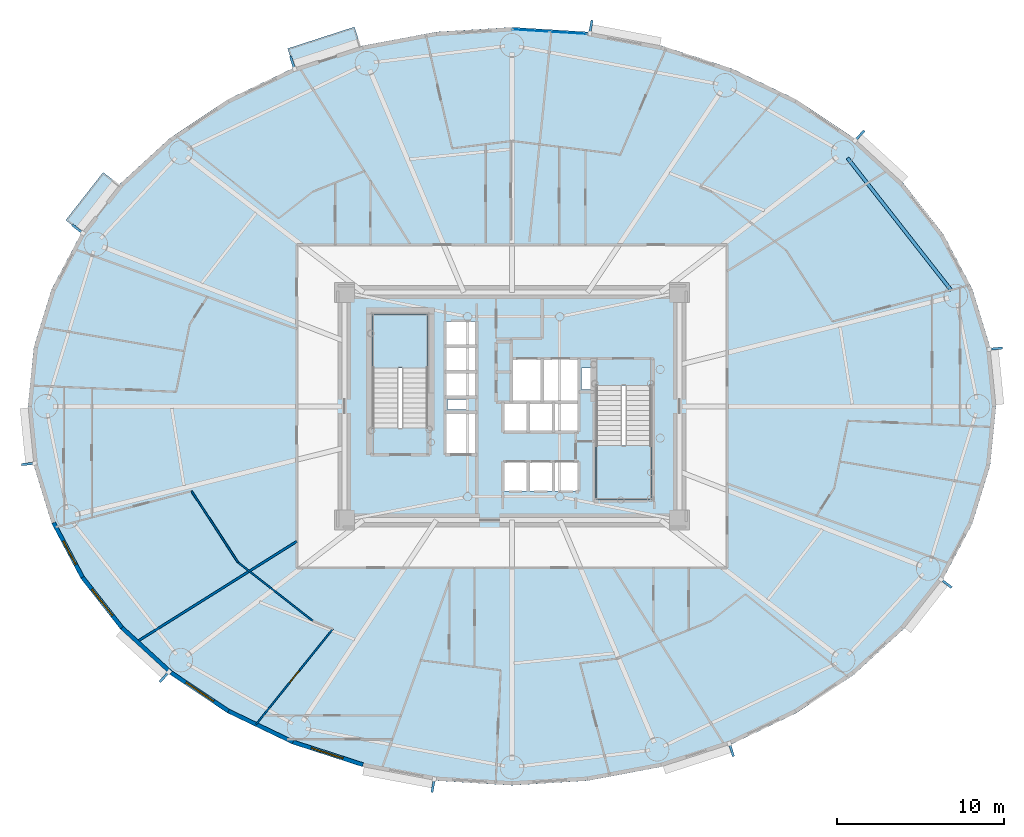
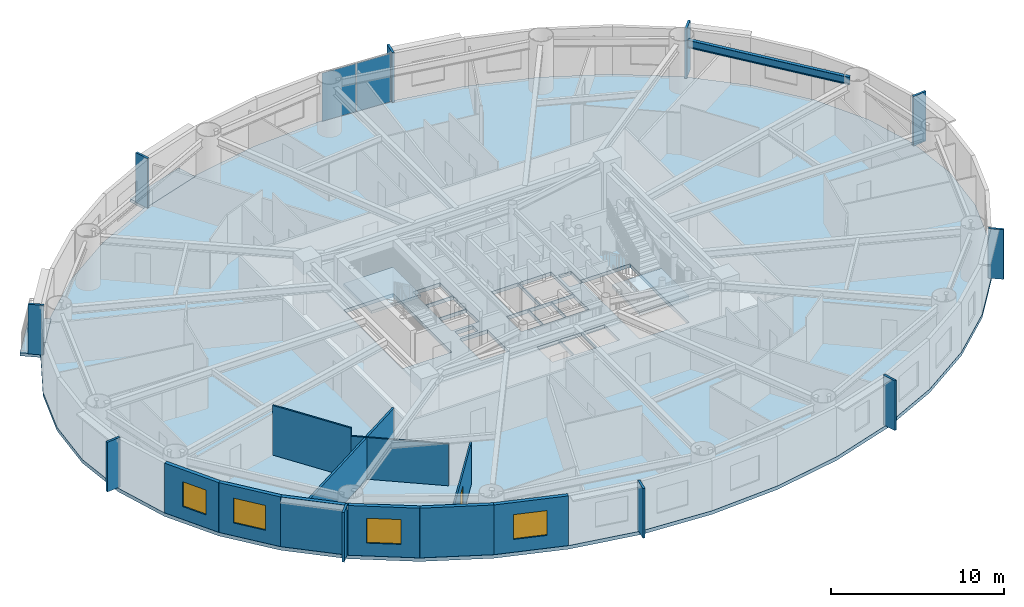
# One storey, part 7 of 19: 12 plates, 10 walls, 5 slabs, 4 windows, 1 beam, 1 door, 5 openings, 3 elements without a shape of their own.
"""IFC4 building model written with IfcOpenShell, lengths in metres."""

from ifc_helpers import new_model, si_unit, direction, frame, frame_2d, origin, origin_2d, place, context, subcontext, project, spatial, polyline, rectangle, i_section, outline, extrude, source, transform, mapped, material, layer, layer_set, material_profile, profile_set, type_object, element, fill, aggregate, save


model = new_model("IFC4")

# Units and contexts
model_context = context("Model", 3, precision=1e-05, world=origin(), true_north=direction((0.0, 1.0)))
body_context = subcontext(model_context, "Body", "Model", "MODEL_VIEW")
ifc_project = project(units=[si_unit("LENGTHUNIT", "METRE"), si_unit("AREAUNIT", "SQUARE_METRE"), si_unit("VOLUMEUNIT", "CUBIC_METRE"), si_unit("PLANEANGLEUNIT", "RADIAN"), si_unit("MASSUNIT", "GRAM", prefix="KILO")], contexts=[model_context])

# Site, building, storey
site_placement = place(None, origin())
site = spatial("IfcSite", under=ifc_project, at=site_placement, CompositionType="ELEMENT")
building_placement = place(site_placement, origin())
building = spatial("IfcBuilding", under=site, at=building_placement, Name="Linh Dai School and Residence Tower", CompositionType="ELEMENT")
storey_placement = place(building_placement, frame((0.0, 0.0, 119.699951171875)))
storey = spatial("IfcBuildingStorey", under=building, at=storey_placement, Name="L28", CompositionType="ELEMENT", Elevation=119.699951171875)

# Beam
ifc_material_1 = material(Name="Structural Steel S355JR", Category="steel")
ifc_material_profile = material_profile(ifc_material_1, i_section(OverallWidth=0.2099609375, OverallDepth=0.550048828125, WebThickness=0.010986328125, FlangeThickness=0.01708984375, FilletRadius=0.02392578125, at=origin_2d()), Name="IPE 550")
ifc_profile_set = profile_set([ifc_material_profile], Name="Structural Steel S355JR")
beam_type = type_object("IfcBeamType", Name="BM-RB55", PredefinedType="BEAM", material=ifc_profile_set)
beam_placement = place(storey_placement, frame((62.233642578125, 33.91162109375, 3.22509765625), z_axis=(-0.616854830973, 0.787076945098, 0.0), x_axis=(-0.787076945098, -0.616854830973, 0.0)))
element("IfcBeam", 1, at=beam_placement, inside=storey, type_object=beam_type, Name="L28 Perimeter Elliptical Ring Beam 02", PredefinedType="BEAM", context=body_context, shape_type="SweptSolid", body=[
    extrude(i_section(OverallWidth=0.2099609375, OverallDepth=0.550048828125, WebThickness=0.010986328125, FlangeThickness=0.01708984375, FilletRadius=0.02392578125, at=origin_2d()), origin(), (0.0, 0.0, 1.0), 10.053955078125),
])

# Slabs
ifc_material_2 = material(Name="Concrete B45 (C35/45)", Category="concrete")
ifc_layer_1 = layer(ifc_material_2, 0.219970703125)
ifc_layer_set_1 = layer_set([ifc_layer_1], Name="Concrete B45 (C35/45)")
slab_type_1 = type_object("IfcSlabType", Name="SLB-BALC-220", PredefinedType="FLOOR", material=ifc_layer_set_1)
slab_1_placement = place(storey_placement, frame((0.0, 0.0, -0.219970703125)))
element("IfcSlab", 2, at=slab_1_placement, inside=storey, type_object=slab_type_1, Name="L28 Sliding Balcony Slab 13", PredefinedType="FLOOR", context=body_context, shape_type="SweptSolid", body=[
    extrude(outline(polyline([(23.00732421875, 47.12109375), (26.9912109375, 48.413330078125), (26.590087890625, 49.64990234375), (22.606201171875, 48.357666015625), (23.00732421875, 47.12109375)])), origin(), (0.0, 0.0, 1.0), 0.219970703125),
])
slab_2_placement = place(storey_placement, frame((0.0, 0.0, -0.219970703125)))
element("IfcSlab", 3, at=slab_2_placement, inside=storey, type_object=slab_type_1, Name="L28 Sliding Balcony Slab 17", PredefinedType="FLOOR", context=body_context, shape_type="SweptSolid", body=[
    extrude(outline(polyline([(10.380859375, 37.31201171875), (12.614013671875, 40.16552734375), (11.59033203125, 40.966796875), (9.357177734375, 38.11328125), (10.380859375, 37.31201171875)])), origin(), (0.0, 0.0, 1.0), 0.219970703125),
])
ifc_layer_2 = layer(ifc_material_2, 0.25)
ifc_layer_set_2 = layer_set([ifc_layer_2], Name="Concrete B45 (C35/45)")
slab_type_2 = type_object("IfcSlabType", Name="SLB-FLR250", PredefinedType="FLOOR", material=ifc_layer_set_2)
slab_3_placement = place(storey_placement, frame((0.0, 0.0, -0.25)))
element("IfcSlab", 4, at=slab_3_placement, inside=storey, type_object=slab_type_2, Name="L28 Composite Structural Floor Slab", PredefinedType="FLOOR", context=body_context, shape_type="SweptSolid", body=[
    extrude(outline(polyline([(64.89990234375, 27.0), (64.544189453125, 30.5400390625), (63.485595703125, 33.9931640625), (61.75, 37.27392578125), (59.380615234375, 40.301513671875), (56.435302734375, 43.001708984375), (52.987060546875, 45.30810546875), (49.120361328125, 47.16357421875), (44.9306640625, 48.5224609375), (40.52099609375, 49.351318359375), (36.0, 49.6298828125), (31.47900390625, 49.351318359375), (27.0693359375, 48.5224609375), (22.879638671875, 47.16357421875), (19.012939453125, 45.30810546875), (15.564697265625, 43.001708984375), (12.619384765625, 40.301513671875), (10.25, 37.27392578125), (8.514404296875, 33.9931640625), (7.455810546875, 30.5400390625), (7.10009765625, 27.0), (7.455810546875, 23.4599609375), (8.514404296875, 20.0068359375), (10.25, 16.72607421875), (12.619384765625, 13.698486328125), (15.564697265625, 10.998291015625), (19.012939453125, 8.69189453125), (22.879638671875, 6.83642578125), (27.0693359375, 5.4775390625), (31.47900390625, 4.648681640625), (36.0, 4.3701171875), (40.52099609375, 4.648681640625), (44.9306640625, 5.4775390625), (49.120361328125, 6.83642578125), (52.987060546875, 8.69189453125), (56.435302734375, 10.998291015625), (59.380615234375, 13.698486328125), (61.75, 16.72607421875), (63.485595703125, 20.0068359375), (64.544189453125, 23.4599609375), (64.89990234375, 27.0)]), holes=[polyline([(30.97998046875, 25.699951171875), (30.97998046875, 32.5), (27.679931640625, 32.5), (27.679931640625, 25.699951171875), (30.97998046875, 25.699951171875)]), polyline([(41.02001953125, 28.25), (41.02001953125, 21.449951171875), (44.320068359375, 21.449951171875), (44.320068359375, 28.25), (41.02001953125, 28.25)]), polyline([(35.97998046875, 27.280029296875), (37.77001953125, 27.280029296875), (37.77001953125, 29.820068359375), (35.97998046875, 29.820068359375), (35.97998046875, 27.280029296875)]), polyline([(32.030029296875, 24.1298828125), (33.8701171875, 24.1298828125), (33.8701171875, 26.6201171875), (32.030029296875, 26.6201171875), (32.030029296875, 24.1298828125)]), polyline([(37.830078125, 27.280029296875), (39.969970703125, 27.280029296875), (39.969970703125, 29.820068359375), (37.830078125, 29.820068359375), (37.830078125, 27.280029296875)]), polyline([(35.47998046875, 21.929931640625), (36.929931640625, 21.929931640625), (36.929931640625, 23.669921875), (35.47998046875, 23.669921875), (35.47998046875, 21.929931640625)]), polyline([(36.989990234375, 21.929931640625), (38.449951171875, 21.929931640625), (38.449951171875, 23.669921875), (36.989990234375, 23.669921875), (36.989990234375, 21.929931640625)]), polyline([(38.510009765625, 21.929931640625), (39.969970703125, 21.929931640625), (39.969970703125, 23.669921875), (38.510009765625, 23.669921875), (38.510009765625, 21.929931640625)]), polyline([(32.030029296875, 27.580078125), (33.8701171875, 27.580078125), (33.8701171875, 29.030029296875), (32.030029296875, 29.030029296875), (32.030029296875, 27.580078125)]), polyline([(32.030029296875, 29.090087890625), (33.8701171875, 29.090087890625), (33.8701171875, 30.550048828125), (32.030029296875, 30.550048828125), (32.030029296875, 29.090087890625)]), polyline([(32.030029296875, 30.610107421875), (33.8701171875, 30.610107421875), (33.8701171875, 32.070068359375), (32.030029296875, 32.070068359375), (32.030029296875, 30.610107421875)]), polyline([(35.47998046875, 25.47998046875), (36.929931640625, 25.47998046875), (36.929931640625, 27.219970703125), (35.47998046875, 27.219970703125), (35.47998046875, 25.47998046875)]), polyline([(36.989990234375, 25.47998046875), (38.449951171875, 25.47998046875), (38.449951171875, 27.219970703125), (36.989990234375, 27.219970703125), (36.989990234375, 25.47998046875)]), polyline([(38.510009765625, 25.47998046875), (39.969970703125, 25.47998046875), (39.969970703125, 27.219970703125), (38.510009765625, 27.219970703125), (38.510009765625, 25.47998046875)]), polyline([(40.14990234375, 28.0), (40.14990234375, 29.300048828125), (41.0, 29.300048828125), (41.0, 28.280029296875), (40.989990234375, 28.280029296875), (40.989990234375, 28.0), (40.14990234375, 28.0)]), polyline([(32.14990234375, 26.800048828125), (33.35009765625, 26.800048828125), (33.35009765625, 27.39990234375), (32.14990234375, 27.39990234375), (32.14990234375, 26.800048828125)])]), origin(), (0.0, 0.0, 1.0), 0.25),
])

# Stair, slab
stair_type = type_object("IfcStairType", Name="ST-DOG-1550-R1442", PredefinedType="HALF_TURN_STAIR", material=ifc_material_2)
stair_1_placement = place(storey_placement, origin())
stair_1 = element("IfcStair", 5, at=stair_1_placement, inside=storey, type_object=stair_type, Name="L28 Core Smokeproof Exit Stair ST1", PredefinedType="HALF_TURN_STAIR")
ifc_layer_3 = layer(ifc_material_2, 0.199951171875)
ifc_layer_set_3 = layer_set([ifc_layer_3], Name="Concrete B45 (C35/45)")
slab_type_3 = type_object("IfcSlabType", Name="SLB-ST-LANDING-200", PredefinedType="LANDING", material=ifc_layer_set_3)
slab_4_placement = place(storey_placement, frame((0.0, 0.0, 1.675048828125)))
slab_4 = element("IfcSlab", 6, at=slab_4_placement, type_object=slab_type_3, Name="ST1 landing 1", PredefinedType="LANDING", context=body_context, shape_type="SweptSolid", body=[
    extrude(outline(polyline([(30.97998046875, 29.300048828125), (30.97998046875, 32.5), (27.679931640625, 32.5), (27.679931640625, 29.300048828125), (30.97998046875, 29.300048828125)])), origin(), (0.0, 0.0, 1.0), 0.199951171875),
])
aggregate(stair_1, [slab_4])

stair_2_placement = place(storey_placement, origin())
stair_2 = element("IfcStair", 7, at=stair_2_placement, inside=storey, type_object=stair_type, Name="L28 Core Smokeproof Exit Stair ST2", PredefinedType="HALF_TURN_STAIR")
slab_5_placement = place(storey_placement, frame((0.0, 0.0, 1.675048828125)))
slab_5 = element("IfcSlab", 8, at=slab_5_placement, type_object=slab_type_3, Name="ST2 landing 1", PredefinedType="LANDING", context=body_context, shape_type="SweptSolid", body=[
    extrude(outline(polyline([(41.02001953125, 24.64990234375), (41.02001953125, 21.449951171875), (44.320068359375, 21.449951171875), (44.320068359375, 24.64990234375), (41.02001953125, 24.64990234375)])), origin(), (0.0, 0.0, 1.0), 0.199951171875),
])
aggregate(stair_2, [slab_5])

# Plates
ifc_material_3 = material(Name="Precast Concrete B45 (C35/45)", Category="concrete")
ifc_layer_4 = layer(ifc_material_3, 0.139892578125)
ifc_layer_set_4 = layer_set([ifc_layer_4], Name="Precast Concrete B45 (C35/45)")
plate_type_1 = type_object("IfcPlateType", Name="FIN-TC-900x140", PredefinedType="USERDEFINED", material=ifc_layer_set_4)
shared_shape_1 = source(origin(), body_context, "Body", "SweptSolid", [
    extrude(rectangle(XDim=0.89990234375, YDim=0.139892578125, at=origin_2d()), origin(), (0.0, 0.0, 1.0), 3.5),
])
for number, where, z_axis, x_axis, name in (
    (9, (64.841552734375, 30.43701171875, 0.0), (0.0, 0.0, 1.0), (0.994986703684, 0.100007297192, 0.0), "L28 Precast Terracotta Radial Fin 01"),
    (10, (56.723876953125, 43.12451171875, 0.0), (0.0, 0.0, 1.0), (0.675783395482, 0.737100266172, 0.0), "L28 Precast Terracotta Radial Fin 05"),
    (11, (40.69921875, 49.608154296875, 0.0), (0.0, 0.0, 1.0), (0.18475466193, 0.982784673718, 0.0), "L28 Precast Terracotta Radial Fin 09"),
    (12, (22.91357421875, 47.474365234375, 0.0), (0.0, 0.0, 1.0), (-0.308522363457, 0.951217089442, 0.0), "L28 Precast Terracotta Radial Fin 13"),
    (13, (10.105712890625, 37.552734375, 0.0), (0.0, 0.0, 1.0), (-0.787507539838, 0.616305017583, 0.0), "L28 Precast Terracotta Radial Fin 17"),
    (14, (7.158447265625, 23.56298828125, 0.0), (0.0, 0.0, 1.0), (-0.994986703684, -0.100007297192, 0.0), "L28 Precast Terracotta Radial Fin 21"),
    (15, (15.276123046875, 10.87548828125, 0.0), (0.0, 0.0, 1.0), (-0.675783395482, -0.737100266172, 0.0), "L28 Precast Terracotta Radial Fin 25"),
    (16, (31.30078125, 4.391845703125, 0.0), (0.0, 0.0, 1.0), (-0.18475466193, -0.982784673718, 0.0), "L28 Precast Terracotta Radial Fin 29"),
    (17, (49.08642578125, 6.525634765625, 0.0), (0.0, 0.0, 1.0), (0.308522363457, -0.951217089442, 0.0), "L28 Precast Terracotta Radial Fin 33"),
    (18, (61.894287109375, 16.447265625, 0.0), (0.0, 0.0, 1.0), (0.787507539838, -0.616305017583, 0.0), "L28 Precast Terracotta Radial Fin 37"),
):
    element("IfcPlate", number, at=place(storey_placement, frame(where, z_axis=z_axis, x_axis=x_axis)), inside=storey, type_object=plate_type_1, Name=name, ObjectType="RADIAL FIN", PredefinedType="USERDEFINED", context=body_context, shape_type="MappedRepresentation", body=[
        mapped(shared_shape_1, transform((0.0, 0.0, 0.0), x_axis=(1.0, 0.0, 0.0), y_axis=(0.0, 1.0, 0.0), z_axis=(0.0, 0.0, 1.0), scale=1.0)),
    ])

# Curtain wall, plates
ifc_material_4 = material(Name="Aluminium Anodised Curtain Wall", Category="aluminium")
ifc_layer_5 = layer(ifc_material_4, 0.14990234375)
ifc_layer_set_5 = layer_set([ifc_layer_5], Name="Aluminium Anodised Curtain Wall")
curtain_wall_type = type_object("IfcCurtainWallType", Name="CW-SYS-4", PredefinedType="USERDEFINED", material=ifc_layer_set_5)
curtain_wall_placement = place(storey_placement, origin())
curtain_wall = element("IfcCurtainWall", 19, at=curtain_wall_placement, inside=storey, type_object=curtain_wall_type, Name="L28 CW4 Curtain Wall 10", ObjectType="RIBBON CURTAIN WALL", PredefinedType="USERDEFINED")
ifc_material_5 = material(Name="Double Low-E Insulated Glazing", Category="glass")
ifc_layer_6 = layer(ifc_material_5, 0.02587890625)
ifc_layer_set_6 = layer_set([ifc_layer_6], Name="Double Low-E Insulated Glazing")
plate_type_2 = type_object("IfcPlateType", Name="CW-SYS-4-PAN", PredefinedType="CURTAIN_PANEL", material=ifc_layer_set_6)
shared_shape_2 = source(origin(), body_context, "Body", "SweptSolid", [
    extrude(rectangle(XDim=2.178955078125, YDim=0.02587890625, at=origin_2d()), origin(), (0.0, 0.0, 1.0), 3.39599609375),
])
plate_1_placement = place(storey_placement, frame((37.139404296875, 49.434814453125, 0.052001953125), z_axis=(0.0, 0.0, 1.0), x_axis=(0.998106513123, -0.061509255091, 0.0)))
plate_1 = element("IfcPlate", 20, at=plate_1_placement, type_object=plate_type_2, Name="CW4 panel 1.1", PredefinedType="CURTAIN_PANEL", context=body_context, shape_type="MappedRepresentation", body=[
    mapped(shared_shape_2, transform((0.0, 0.0, 0.0), x_axis=(1.0, 0.0, 0.0), y_axis=(0.0, 1.0, 0.0), z_axis=(0.0, 0.0, 1.0), scale=1.0)),
])
plate_2_placement = place(storey_placement, frame((39.3662109375, 49.297607421875, 0.052001953125), z_axis=(0.0, 0.0, 1.0), x_axis=(0.998106513123, -0.061509255091, 0.0)))
plate_2 = element("IfcPlate", 21, at=plate_2_placement, type_object=plate_type_2, Name="CW4 panel 2.1", PredefinedType="CURTAIN_PANEL", context=body_context, shape_type="MappedRepresentation", body=[
    mapped(shared_shape_2, transform((0.0, 0.0, 0.0), x_axis=(1.0, 0.0, 0.0), y_axis=(0.0, 1.0, 0.0), z_axis=(0.0, 0.0, 1.0), scale=1.0)),
])
aggregate(curtain_wall, [plate_1, plate_2])

# Wall, opening, window
ifc_layer_7 = layer(ifc_material_3, 0.239990234375)
ifc_layer_set_7 = layer_set([ifc_layer_7], Name="Precast Concrete B45 (C35/45)")
wall_type_1 = type_object("IfcWallType", Name="EW-TC-240", PredefinedType="SOLIDWALL", material=ifc_layer_set_7)
wall_1_placement = place(storey_placement, frame((10.354736328125, 16.79443359375, 0.0), z_axis=(0.0, 0.0, 1.0), x_axis=(-0.467614004126, 0.883932770716, 0.0)))
wall_1 = element("IfcWall", 22, at=wall_1_placement, inside=storey, type_object=wall_type_1, Name="L28 Terracotta Exterior Wall 23", PredefinedType="SOLIDWALL", context=body_context, shape_type="SweptSolid", body=[
    extrude(rectangle(XDim=3.688720703125, YDim=0.239990234375, at=frame_2d((1.84423828125, 0.0))), origin(), (0.0, 0.0, 1.0), 3.5),
])
opening_1_placement = place(wall_1_placement, frame((0.845947265625, 0.0, 0.89990234375)))
opening_1 = element("IfcOpeningElement", 23, at=opening_1_placement, cuts=wall_1, Name="Opening W2", PredefinedType="OPENING", context=body_context, shape_type="SweptSolid", body=[
    extrude(rectangle(XDim=1.60009765625, YDim=1.75, at=origin_2d()), frame((0.800048828125, 0.1298828125, 0.875), z_axis=(0.0, -1.0, 0.0), x_axis=(1.0, 0.0, 0.0)), (0.0, 0.0, 1.0), 0.260009765625),
])
window_type_1 = type_object("IfcWindowType", Name="WN-RES-1600x1750", PartitioningType="DOUBLE_PANEL_VERTICAL", PredefinedType="WINDOW", material=ifc_material_5)
shared_shape_3 = source(origin(), body_context, "Body", "SweptSolid", [
    extrude(rectangle(XDim=1.60009765625, YDim=1.75, at=origin_2d()), frame((0.800048828125, 0.030029296875, 0.875), z_axis=(0.0, -1.0, 0.0), x_axis=(1.0, 0.0, 0.0)), (0.0, 0.0, 1.0), 0.06005859375),
])
window_1_placement = place(opening_1_placement, origin())
window_1 = element("IfcWindow", 24, at=window_1_placement, inside=storey, type_object=window_type_1, Name="L28 Exterior Window 23.1", OverallHeight=1.75, OverallWidth=1.60009765625, PartitioningType="DOUBLE_PANEL_VERTICAL", PredefinedType="WINDOW", context=body_context, shape_type="MappedRepresentation", body=[
    mapped(shared_shape_3, transform((0.0, 0.0, 0.0), x_axis=(1.0, 0.0, 0.0), y_axis=(0.0, 1.0, 0.0), z_axis=(0.0, 0.0, 1.0), scale=1.0)),
])
fill(opening_1, window_1)

wall_2_placement = place(storey_placement, frame((12.7109375, 13.783447265625, 0.0), z_axis=(0.0, 0.0, 1.0), x_axis=(-0.616272103517, 0.787533297345, 0.0)))
wall_2 = element("IfcWall", 25, at=wall_2_placement, inside=storey, type_object=wall_type_1, Name="L28 Terracotta Exterior Wall 24", PredefinedType="SOLIDWALL", context=body_context, shape_type="SweptSolid", body=[
    extrude(rectangle(XDim=3.8232421875, YDim=0.239990234375, at=frame_2d((1.91162109375, 0.0))), origin(), (0.0, 0.0, 1.0), 3.5),
])
opening_2_placement = place(wall_2_placement, frame((0.91162109375, 0.0, 0.89990234375)))
opening_2 = element("IfcOpeningElement", 26, at=opening_2_placement, cuts=wall_2, Name="Opening W1", PredefinedType="OPENING", context=body_context, shape_type="SweptSolid", body=[
    extrude(rectangle(XDim=2.0, YDim=1.75, at=origin_2d()), frame((1.0, 0.1298828125, 0.875), z_axis=(0.0, -1.0, 0.0), x_axis=(1.0, 0.0, 0.0)), (0.0, 0.0, 1.0), 0.260009765625),
])
window_type_2 = type_object("IfcWindowType", Name="WN-RES-2000x1750", PartitioningType="DOUBLE_PANEL_VERTICAL", PredefinedType="WINDOW", material=ifc_material_5)
shared_shape_4 = source(origin(), body_context, "Body", "SweptSolid", [
    extrude(rectangle(XDim=2.0, YDim=1.75, at=origin_2d()), frame((1.0, 0.030029296875, 0.875), z_axis=(0.0, -1.0, 0.0), x_axis=(1.0, 0.0, 0.0)), (0.0, 0.0, 1.0), 0.06005859375),
])
window_2_placement = place(opening_2_placement, origin())
window_2 = element("IfcWindow", 27, at=window_2_placement, inside=storey, type_object=window_type_2, Name="L28 Exterior Window 24.1", OverallHeight=1.75, OverallWidth=2.0, PartitioningType="DOUBLE_PANEL_VERTICAL", PredefinedType="WINDOW", context=body_context, shape_type="MappedRepresentation", body=[
    mapped(shared_shape_4, transform((0.0, 0.0, 0.0), x_axis=(1.0, 0.0, 0.0), y_axis=(0.0, 1.0, 0.0), z_axis=(0.0, 0.0, 1.0), scale=1.0)),
])
fill(opening_2, window_2)

# Wall
wall_3_placement = place(storey_placement, frame((15.6416015625, 11.0966796875, 0.0), z_axis=(0.0, 0.0, 1.0), x_axis=(-0.737113356241, 0.675769117414, 0.0)))
element("IfcWall", 28, at=wall_3_placement, inside=storey, type_object=wall_type_1, Name="L28 Terracotta Exterior Wall 25", PredefinedType="SOLIDWALL", context=body_context, shape_type="SweptSolid", body=[
    extrude(rectangle(XDim=3.975830078125, YDim=0.239990234375, at=frame_2d((1.98779296875, 0.0))), origin(), (0.0, 0.0, 1.0), 3.5),
])

# Wall, opening, window
wall_4_placement = place(storey_placement, frame((19.07470703125, 8.800537109375, 0.0), z_axis=(0.0, 0.0, 1.0), x_axis=(-0.831221811447, 0.555940914284, 0.0)))
wall_4 = element("IfcWall", 29, at=wall_4_placement, inside=storey, type_object=wall_type_1, Name="L28 Terracotta Exterior Wall 26", PredefinedType="SOLIDWALL", context=body_context, shape_type="SweptSolid", body=[
    extrude(rectangle(XDim=4.130126953125, YDim=0.239990234375, at=frame_2d((2.06494140625, 0.0))), origin(), (0.0, 0.0, 1.0), 3.5),
])
opening_3_placement = place(wall_4_placement, frame((1.06494140625, 0.0, 0.89990234375)))
opening_3 = element("IfcOpeningElement", 30, at=opening_3_placement, cuts=wall_4, Name="Opening W1", PredefinedType="OPENING", context=body_context, shape_type="SweptSolid", body=[
    extrude(rectangle(XDim=2.0, YDim=1.75, at=origin_2d()), frame((1.0, 0.1298828125, 0.875), z_axis=(0.0, -1.0, 0.0), x_axis=(1.0, 0.0, 0.0)), (0.0, 0.0, 1.0), 0.260009765625),
])
window_3_placement = place(opening_3_placement, origin())
window_3 = element("IfcWindow", 31, at=window_3_placement, inside=storey, type_object=window_type_2, Name="L28 Exterior Window 26.1", OverallHeight=1.75, OverallWidth=2.0, PartitioningType="DOUBLE_PANEL_VERTICAL", PredefinedType="WINDOW", context=body_context, shape_type="MappedRepresentation", body=[
    mapped(shared_shape_4, transform((0.0, 0.0, 0.0), x_axis=(1.0, 0.0, 0.0), y_axis=(0.0, 1.0, 0.0), z_axis=(0.0, 0.0, 1.0), scale=1.0)),
])
fill(opening_3, window_3)

# Wall
wall_5_placement = place(storey_placement, frame((22.926025390625, 6.95263671875, 0.0), z_axis=(0.0, 0.0, 1.0), x_axis=(-0.901589935876, 0.432591709962, 0.0)))
element("IfcWall", 32, at=wall_5_placement, inside=storey, type_object=wall_type_1, Name="L28 Terracotta Exterior Wall 27", PredefinedType="SOLIDWALL", context=body_context, shape_type="SweptSolid", body=[
    extrude(rectangle(XDim=4.271728515625, YDim=0.239990234375, at=frame_2d((2.1357421875, 0.0))), origin(), (0.0, 0.0, 1.0), 3.5),
])

# Wall, opening, window
wall_6_placement = place(storey_placement, frame((27.100341796875, 5.5986328125, 0.0), z_axis=(0.0, 0.0, 1.0), x_axis=(-0.951211346073, 0.308540070495, 0.0)))
wall_6 = element("IfcWall", 33, at=wall_6_placement, inside=storey, type_object=wall_type_1, Name="L28 Terracotta Exterior Wall 28", PredefinedType="SOLIDWALL", context=body_context, shape_type="SweptSolid", body=[
    extrude(rectangle(XDim=4.388427734375, YDim=0.239990234375, at=frame_2d((2.1943359375, 0.0))), origin(), (0.0, 0.0, 1.0), 3.5),
])
opening_4_placement = place(wall_6_placement, frame((1.248291015625, 0.0, 0.89990234375)))
opening_4 = element("IfcOpeningElement", 34, at=opening_4_placement, cuts=wall_6, Name="Opening W1", PredefinedType="OPENING", context=body_context, shape_type="SweptSolid", body=[
    extrude(rectangle(XDim=2.0, YDim=1.75, at=origin_2d()), frame((1.0, 0.1298828125, 0.875), z_axis=(0.0, -1.0, 0.0), x_axis=(1.0, 0.0, 0.0)), (0.0, 0.0, 1.0), 0.260009765625),
])
window_4_placement = place(opening_4_placement, origin())
window_4 = element("IfcWindow", 35, at=window_4_placement, inside=storey, type_object=window_type_2, Name="L28 Exterior Window 28.1", OverallHeight=1.75, OverallWidth=2.0, PartitioningType="DOUBLE_PANEL_VERTICAL", PredefinedType="WINDOW", context=body_context, shape_type="MappedRepresentation", body=[
    mapped(shared_shape_4, transform((0.0, 0.0, 0.0), x_axis=(1.0, 0.0, 0.0), y_axis=(0.0, 1.0, 0.0), z_axis=(0.0, 0.0, 1.0), scale=1.0)),
])
fill(opening_4, window_4)

# Walls
ifc_material_6 = material(Name="Autoclaved Aerated Concrete Blockwork", Category="masonry")
ifc_layer_8 = layer(ifc_material_6, 0.135009765625)
ifc_layer_set_8 = layer_set([ifc_layer_8], Name="Autoclaved Aerated Concrete Blockwork")
wall_type_2 = type_object("IfcWallType", Name="IW-CORR-135-EI90", PredefinedType="PARTITIONING", material=ifc_layer_set_8)
wall_7_placement = place(storey_placement, frame((13.61474609375, 12.9482421875, 0.0), z_axis=(0.0, 0.0, 1.0), x_axis=(0.846963568038, 0.531650932866, 0.0)))
element("IfcWall", 36, at=wall_7_placement, inside=storey, type_object=wall_type_2, Name="L28 Interior Partition Wall 007", PredefinedType="PARTITIONING", context=body_context, shape_type="SweptSolid", body=[
    extrude(rectangle(XDim=11.258056640625, YDim=0.135009765625, at=frame_2d((5.62890625, 0.0))), origin(), (0.0, 0.0, 1.0), 2.93505859375),
])
ifc_material_7 = material(Name="Gypsum Plasterboard Acoustic Stud Partition", Category="masonry")
ifc_layer_9 = layer(ifc_material_7, 0.10009765625)
ifc_layer_set_9 = layer_set([ifc_layer_9], Name="Gypsum Plasterboard Acoustic Stud Partition")
wall_type_3 = type_object("IfcWallType", Name="IW-UNIT-100", PredefinedType="PARTITIONING", material=ifc_layer_set_9)
wall_8_placement = place(storey_placement, frame((16.869384765625, 21.93701171875, 0.0), z_axis=(0.0, 0.0, 1.0), x_axis=(0.545394651961, -0.838179380331, 0.0)))
element("IfcWall", 37, at=wall_8_placement, inside=storey, type_object=wall_type_3, Name="L28 Interior Partition Wall 011", PredefinedType="PARTITIONING", context=body_context, shape_type="SweptSolid", body=[
    extrude(rectangle(XDim=5.068115234375, YDim=0.10009765625, at=frame_2d((2.5341796875, 0.0))), origin(), (0.0, 0.0, 1.0), 3.5),
])
wall_9_placement = place(storey_placement, frame((19.633544921875, 17.68896484375, 0.0), z_axis=(0.0, 0.0, 1.0), x_axis=(0.787333679705, -0.616527109544, 0.0)))
element("IfcWall", 38, at=wall_9_placement, inside=storey, type_object=wall_type_3, Name="L28 Interior Partition Wall 012", PredefinedType="PARTITIONING", context=body_context, shape_type="SweptSolid", body=[
    extrude(rectangle(XDim=5.6845703125, YDim=0.10009765625, at=frame_2d((2.84228515625, 0.0))), origin(), (0.0, 0.0, 1.0), 2.93505859375),
])

# Wall, opening, door
wall_10_placement = place(storey_placement, frame((20.716552734375, 8.00732421875, 0.0), z_axis=(0.0, 0.0, 1.0), x_axis=(0.626926430663, 0.779078462375, 0.0)))
wall_10 = element("IfcWall", 39, at=wall_10_placement, inside=storey, type_object=wall_type_3, Name="L28 Interior Partition Wall 013", PredefinedType="PARTITIONING", context=body_context, shape_type="SweptSolid", body=[
    extrude(rectangle(XDim=7.31689453125, YDim=0.10009765625, at=frame_2d((3.658447265625, 0.0))), origin(), (0.0, 0.0, 1.0), 2.93505859375),
])
opening_5_placement = place(wall_10_placement, frame((3.20849609375, 0.0, 0.0)))
opening_5 = element("IfcOpeningElement", 40, at=opening_5_placement, cuts=wall_10, Name="Opening D05", PredefinedType="OPENING", context=body_context, shape_type="SweptSolid", body=[
    extrude(rectangle(XDim=0.89990234375, YDim=2.10009765625, at=origin_2d()), frame((0.449951171875, 0.06005859375, 1.050048828125), z_axis=(0.0, -1.0, 0.0), x_axis=(1.0, 0.0, 0.0)), (0.0, 0.0, 1.0), 0.1201171875),
])
ifc_material_8 = material(Name="Engineered Timber Internal Door", Category="wood")
door_type = type_object("IfcDoorType", Name="DR-INT-900x2100", OperationType="NOTDEFINED", PredefinedType="DOOR", material=ifc_material_8)
shared_shape_5 = source(origin(), body_context, "Body", "SweptSolid", [
    extrude(rectangle(XDim=0.89990234375, YDim=2.10009765625, at=origin_2d()), frame((0.449951171875, 0.02490234375, 1.050048828125), z_axis=(0.0, -1.0, 0.0), x_axis=(1.0, 0.0, 0.0)), (0.0, 0.0, 1.0), 0.050048828125),
])
door_placement = place(opening_5_placement, origin())
door = element("IfcDoor", 41, at=door_placement, inside=storey, type_object=door_type, Name="L28 Apartment U2804 Principal Bedroom 1 Door", OperationType="SINGLE_SWING_RIGHT", OverallHeight=2.10009765625, OverallWidth=0.89990234375, PredefinedType="DOOR", context=body_context, shape_type="MappedRepresentation", body=[
    mapped(shared_shape_5, transform((0.0, 0.0, 0.0), x_axis=(1.0, 0.0, 0.0), y_axis=(0.0, 1.0, 0.0), z_axis=(0.0, 0.0, 1.0), scale=1.0)),
])
fill(opening_5, door)

save(model, "model.ifc")
